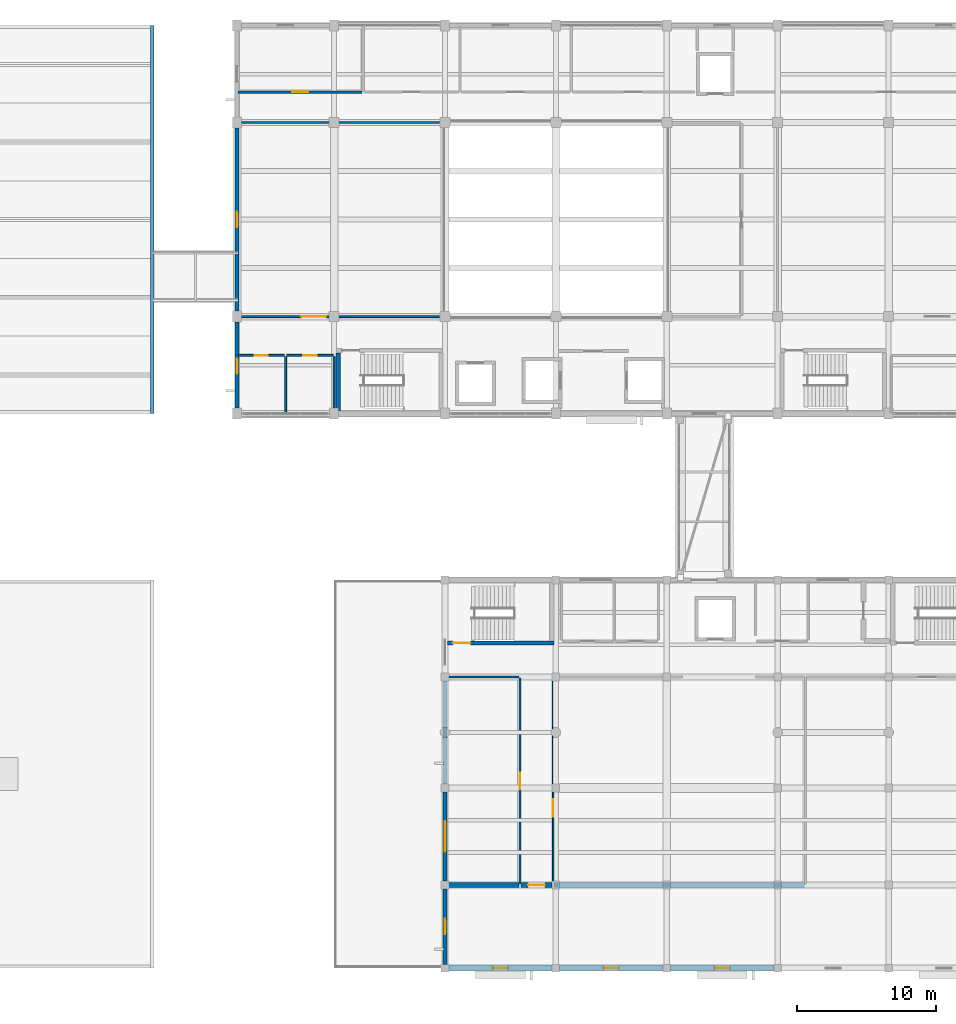
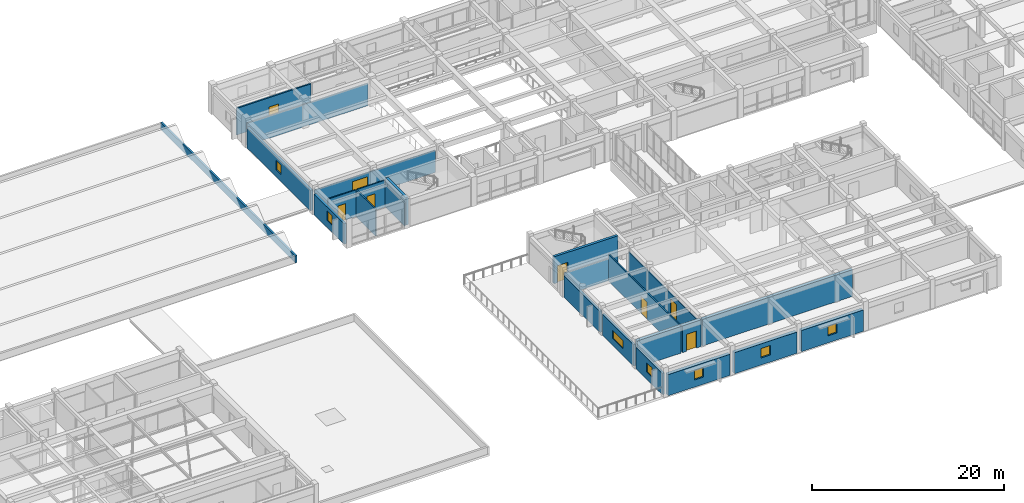
# One storey, part 27 of 42: 24 walls, 8 doors, 7 windows, 15 openings.
"""IFC4 building model written with IfcOpenShell, lengths in metres."""

from ifc_helpers import new_model, si_unit, direction, frame, frame_2d, origin, place, context, subcontext, project, spatial, rectangle, extrude, material, layer, layer_set, type_object, element, fill, save


model = new_model("IFC4")

# Units and contexts
model_context = context("Model", 3, precision=1e-05, world=origin(), true_north=direction((0.0, 1.0)))
body_context = subcontext(model_context, "Body", "Model", "MODEL_VIEW")
ifc_project = project(units=[si_unit("LENGTHUNIT", "METRE"), si_unit("AREAUNIT", "SQUARE_METRE"), si_unit("VOLUMEUNIT", "CUBIC_METRE"), si_unit("PLANEANGLEUNIT", "RADIAN"), si_unit("MASSUNIT", "GRAM", prefix="KILO")], contexts=[model_context])

# Site, building, storey
site_placement = place(None, origin())
site = spatial("IfcSite", under=ifc_project, at=site_placement, CompositionType="ELEMENT")
building_placement = place(site_placement, origin())
building = spatial("IfcBuilding", under=site, at=building_placement, Name="Naurynzar Civic Courthouse", CompositionType="ELEMENT")
storey_placement = place(building_placement, frame((0.0, 0.0, 18.300048828125)))
storey = spatial("IfcBuildingStorey", under=building, at=storey_placement, Name="L05", CompositionType="ELEMENT", Elevation=18.300048828125)

# Wall, opening, door
ifc_material_1 = material(Name="Acoustic Double-Stud Gypsum Partition")
ifc_layer_1 = layer(ifc_material_1, 0.1298828125)
ifc_layer_set_1 = layer_set([ifc_layer_1], Name="WL-ACOUSTIC-130")
wall_type_1 = type_object("IfcWallType", Name="WL-ACOUSTIC-130", PredefinedType="PARTITIONING", material=ifc_layer_set_1)
wall_1_placement = place(storey_placement, frame((62.080078125, 51.0, 0.0), z_axis=(0.0, 0.0, 1.0), x_axis=(1.0, 0.0, 0.0)))
wall_1 = element("IfcWall", 1, at=wall_1_placement, inside=storey, type_object=wall_type_1, Name="V2 interior partition L05.598", PredefinedType="PARTITIONING", context=body_context, shape_type="SweptSolid", body=[
    extrude(rectangle(XDim=14.52001953125, YDim=0.1298828125, at=frame_2d((7.260009765625, 0.0))), origin(), (0.0, 0.0, 1.0), 2.820068359375),
])
opening_1_placement = place(wall_1_placement, frame((4.556884765625, 0.0, 0.0)))
opening_1 = element("IfcOpeningElement", 2, at=opening_1_placement, cuts=wall_1, Name="Opening D-154", PredefinedType="OPENING", context=body_context, shape_type="SweptSolid", body=[
    extrude(rectangle(XDim=1.800048828125, YDim=2.300048828125, at=frame_2d((0.89990234375, 1.14990234375))), frame((0.0, 0.074951171875, 0.0), z_axis=(0.0, -1.0, 0.0), x_axis=(1.0, 0.0, 0.0)), (0.0, 0.0, 1.0), 0.14990234375),
])
ifc_material_2 = material(Name="Acoustic Oak Timber Grade A", Category="wood")
door_type_1 = type_object("IfcDoorType", Name="DR-COURT-DBL-1800x2300", OperationType="DOUBLE_DOOR_SINGLE_SWING", PredefinedType="DOOR", material=ifc_material_2)
door_1_placement = place(opening_1_placement, origin())
door_1 = element("IfcDoor", 3, at=door_1_placement, inside=storey, type_object=door_type_1, Name="Interior door D-154 (Principal Civil Courtroom 5A)", OperationType="DOUBLE_DOOR_SINGLE_SWING", OverallHeight=2.300048828125, OverallWidth=1.800048828125, PredefinedType="DOOR", context=body_context, shape_type="SweptSolid", body=[
    extrude(rectangle(XDim=1.800048828125, YDim=2.300048828125, at=frame_2d((0.89990234375, 1.14990234375))), frame((0.0, 0.02490234375, 0.0), z_axis=(0.0, -1.0, 0.0), x_axis=(1.0, 0.0, 0.0)), (0.0, 0.0, 1.0), 0.050048828125),
])
fill(opening_1, door_1)

# Walls
wall_2_placement = place(storey_placement, frame((62.080078125, 65.0, 0.0), z_axis=(0.0, 0.0, 1.0), x_axis=(1.0, 0.0, 0.0)))
element("IfcWall", 4, at=wall_2_placement, inside=storey, type_object=wall_type_1, Name="V2 interior partition L05.603", PredefinedType="PARTITIONING", context=body_context, shape_type="SweptSolid", body=[
    extrude(rectangle(XDim=14.52001953125, YDim=0.1298828125, at=frame_2d((7.260009765625, 0.0))), origin(), (0.0, 0.0, 1.0), 2.820068359375),
])
ifc_material_3 = material(Name="Concrete C40/50", Category="concrete")
ifc_layer_2 = layer(ifc_material_3, 0.300048828125)
ifc_layer_set_2 = layer_set([ifc_layer_2], Name="WL-CORE-300")
wall_type_2 = type_object("IfcWallType", Name="WL-CORE-300", PredefinedType="SHEAR", material=ifc_layer_set_2)
wall_3_placement = place(storey_placement, frame((69.300048828125, 48.39501953125, 0.0), z_axis=(0.0, 0.0, 1.0), x_axis=(0.0, -1.0, 0.0)))
element("IfcWall", 5, at=wall_3_placement, inside=storey, type_object=wall_type_2, Name="Stair ST-V2A enclosure wall west L05", PredefinedType="SHEAR", context=body_context, shape_type="SweptSolid", body=[
    extrude(rectangle(XDim=4.199951171875, YDim=0.300048828125, at=frame_2d((2.10009765625, 0.0))), origin(), (0.0, 0.0, 1.0), 3.469970703125),
])

# Wall, opening, door
wall_4_placement = place(storey_placement, frame((77.195068359375, 27.449951171875, 0.0), z_axis=(0.0, 0.0, 1.0), x_axis=(1.0, 0.0, 0.0)))
wall_4 = element("IfcWall", 6, at=wall_4_placement, inside=storey, type_object=wall_type_2, Name="Stair ST-V3A enclosure wall south L05", PredefinedType="SHEAR", context=body_context, shape_type="SweptSolid", body=[
    extrude(rectangle(XDim=7.655029296875, YDim=0.300048828125, at=frame_2d((3.82763671875, 0.0))), origin(), (0.0, 0.0, 1.0), 3.409912109375),
])
opening_2_placement = place(wall_4_placement, frame((0.3798828125, 0.0, 0.0)))
opening_2 = element("IfcOpeningElement", 7, at=opening_2_placement, cuts=wall_4, Name="Opening SD-050", PredefinedType="OPENING", context=body_context, shape_type="SweptSolid", body=[
    extrude(rectangle(XDim=1.25, YDim=2.14990234375, at=frame_2d((0.625, 1.074951171875))), frame((0.0, 0.159912109375, 0.0), z_axis=(0.0, -1.0, 0.0), x_axis=(1.0, 0.0, 0.0)), (0.0, 0.0, 1.0), 0.320068359375),
])
ifc_material_4 = material(Name="Powder-Coated Galvanised Steel", Category="steel")
door_type_2 = type_object("IfcDoorType", Name="DR-STAIR-1250x2150", OperationType="NOTDEFINED", PredefinedType="DOOR", material=ifc_material_4)
door_2_placement = place(opening_2_placement, origin())
door_2 = element("IfcDoor", 8, at=door_2_placement, inside=storey, type_object=door_type_2, Name="Stair ST-V3A fire door L05", OperationType="SINGLE_SWING_RIGHT", OverallHeight=2.14990234375, OverallWidth=1.25, PredefinedType="DOOR", context=body_context, shape_type="SweptSolid", body=[
    extrude(rectangle(XDim=1.25, YDim=2.14990234375, at=frame_2d((0.625, 1.074951171875))), frame((0.0, 0.02490234375, 0.0), z_axis=(0.0, -1.0, 0.0), x_axis=(1.0, 0.0, 0.0)), (0.0, 0.0, 1.0), 0.050048828125),
])
fill(opening_2, door_2)

# Wall
ifc_material_5 = material(Name="Concrete C40/50", Category="concrete")
ifc_layer_3 = layer(ifc_material_5, 0.35009765625)
ifc_layer_set_3 = layer_set([ifc_layer_3], Name="WL-CORE-350")
wall_type_3 = type_object("IfcWallType", Name="WL-CORE-350", PredefinedType="SHEAR", material=ifc_layer_set_3)
wall_5_placement = place(storey_placement, frame((77.080078125, 10.0, 0.0), z_axis=(0.0, 0.0, 1.0), x_axis=(1.0, 0.0, 0.0)))
element("IfcWall", 9, at=wall_5_placement, inside=storey, type_object=wall_type_3, Name="V3 interior partition L05.572", PredefinedType="SHEAR", context=body_context, shape_type="SweptSolid", body=[
    extrude(rectangle(XDim=5.239990234375, YDim=0.35009765625, at=frame_2d((2.6201171875, 0.0))), origin(), (0.0, 0.0, 1.0), 3.389892578125),
])

# Wall, opening, door
wall_6_placement = place(storey_placement, frame((82.47998046875, 10.0, 0.0), z_axis=(0.0, 0.0, 1.0), x_axis=(1.0, 0.0, 0.0)))
wall_6 = element("IfcWall", 10, at=wall_6_placement, inside=storey, type_object=wall_type_3, Name="V3 interior partition L05.573", PredefinedType="SHEAR", context=body_context, shape_type="SweptSolid", body=[
    extrude(rectangle(XDim=2.239990234375, YDim=0.35009765625, at=frame_2d((1.1201171875, 0.0))), origin(), (0.0, 0.0, 1.0), 3.389892578125),
])
opening_3_placement = place(wall_6_placement, frame((0.52001953125, 0.0, 0.0)))
opening_3 = element("IfcOpeningElement", 11, at=opening_3_placement, cuts=wall_6, Name="Opening D-255", PredefinedType="OPENING", context=body_context, shape_type="SweptSolid", body=[
    extrude(rectangle(XDim=1.199951171875, YDim=2.14990234375, at=frame_2d((0.60009765625, 1.074951171875))), frame((0.0, 0.18505859375, 0.0), z_axis=(0.0, -1.0, 0.0), x_axis=(1.0, 0.0, 0.0)), (0.0, 0.0, 1.0), 0.3701171875),
])
ifc_material_6 = material(Name="Powder-Coated Galvanised Steel", Category="steel")
door_type_3 = type_object("IfcDoorType", Name="DR-ARCH-1200x2150", OperationType="NOTDEFINED", PredefinedType="DOOR", material=ifc_material_6)
door_3_placement = place(opening_3_placement, origin())
door_3 = element("IfcDoor", 12, at=door_3_placement, inside=storey, type_object=door_type_3, Name="Interior door D-255 (Law Library Book Stacks South L05)", OperationType="SINGLE_SWING_LEFT", OverallHeight=2.14990234375, OverallWidth=1.199951171875, PredefinedType="DOOR", context=body_context, shape_type="SweptSolid", body=[
    extrude(rectangle(XDim=1.199951171875, YDim=2.14990234375, at=frame_2d((0.60009765625, 1.074951171875))), frame((0.0, 0.02490234375, 0.0), z_axis=(0.0, -1.0, 0.0), x_axis=(1.0, 0.0, 0.0)), (0.0, 0.0, 1.0), 0.050048828125),
])
fill(opening_3, door_3)

# Wall
wall_7_placement = place(storey_placement, frame((84.8798828125, 10.0, 0.0), z_axis=(0.0, 0.0, 1.0), x_axis=(1.0, 0.0, 0.0)))
element("IfcWall", 13, at=wall_7_placement, inside=storey, type_object=wall_type_3, Name="V3 interior partition L05.574", PredefinedType="SHEAR", context=body_context, shape_type="SweptSolid", body=[
    extrude(rectangle(XDim=18.0400390625, YDim=0.35009765625, at=frame_2d((9.02001953125, 0.0))), origin(), (0.0, 0.0, 1.0), 3.389892578125),
])

# Wall, opening, window
ifc_material_7 = material(Name="Precast concrete C40/50", Category="concrete")
ifc_layer_4 = layer(ifc_material_7, 0.260009765625)
ifc_layer_set_4 = layer_set([ifc_layer_4], Name="WL-EXT-260")
wall_type_4 = type_object("IfcWallType", Name="WL-EXT-260", PredefinedType="SOLIDWALL", material=ifc_layer_set_4)
wall_8_placement = place(storey_placement, frame((77.0, 4.27490234375, 0.0), z_axis=(0.0, 0.0, 1.0), x_axis=(0.0, 1.0, 0.0)))
wall_8 = element("IfcWall", 14, at=wall_8_placement, inside=storey, type_object=wall_type_4, Name="V3 exterior wall west L05.1.1", PredefinedType="SOLIDWALL", context=body_context, shape_type="SweptSolid", body=[
    extrude(rectangle(XDim=5.4501953125, YDim=0.260009765625, at=frame_2d((2.72509765625, 0.0))), origin(), (0.0, 0.0, 1.0), 2.68994140625),
])
opening_4_placement = place(wall_8_placement, frame((2.175048828125, 0.0, 0.89990234375)))
opening_4 = element("IfcOpeningElement", 15, at=opening_4_placement, cuts=wall_8, Name="Opening WN-15", PredefinedType="OPENING", context=body_context, shape_type="SweptSolid", body=[
    extrude(rectangle(XDim=1.10009765625, YDim=1.199951171875, at=frame_2d((0.550048828125, 0.60009765625))), frame((0.0, 0.139892578125, 0.0), z_axis=(0.0, -1.0, 0.0), x_axis=(1.0, 0.0, 0.0)), (0.0, 0.0, 1.0), 0.280029296875),
])
ifc_material_8 = material(Name="Tempered Laminated Low-E Glass", Category="glass")
window_type_1 = type_object("IfcWindowType", Name="WIN-SEC-1100x1200", PartitioningType="SINGLE_PANEL", PredefinedType="WINDOW", material=ifc_material_8)
window_1_placement = place(opening_4_placement, origin())
window_1 = element("IfcWindow", 16, at=window_1_placement, inside=storey, type_object=window_type_1, Name="V3 window 190 L05", OverallHeight=1.199951171875, OverallWidth=1.10009765625, PartitioningType="SINGLE_PANEL", PredefinedType="WINDOW", context=body_context, shape_type="SweptSolid", body=[
    extrude(rectangle(XDim=1.10009765625, YDim=1.199951171875, at=frame_2d((0.550048828125, 0.60009765625))), frame((0.0, 0.030029296875, 0.0), z_axis=(0.0, -1.0, 0.0), x_axis=(1.0, 0.0, 0.0)), (0.0, 0.0, 1.0), 0.06005859375),
])
fill(opening_4, window_1)

wall_9_placement = place(storey_placement, frame((77.0, 10.27490234375, 0.0), z_axis=(0.0, 0.0, 1.0), x_axis=(0.0, 1.0, 0.0)))
wall_9 = element("IfcWall", 17, at=wall_9_placement, inside=storey, type_object=wall_type_4, Name="V3 exterior wall west L05.2.1", PredefinedType="SOLIDWALL", context=body_context, shape_type="SweptSolid", body=[
    extrude(rectangle(XDim=6.4501953125, YDim=0.260009765625, at=frame_2d((3.22509765625, 0.0))), origin(), (0.0, 0.0, 1.0), 2.68994140625),
])
opening_5_placement = place(wall_9_placement, frame((2.125, 0.0, 0.89990234375)))
opening_5 = element("IfcOpeningElement", 18, at=opening_5_placement, cuts=wall_9, Name="Opening WN-18", PredefinedType="OPENING", context=body_context, shape_type="SweptSolid", body=[
    extrude(rectangle(XDim=2.199951171875, YDim=1.0, at=frame_2d((1.10009765625, 0.5))), frame((0.0, 0.139892578125, 0.0), z_axis=(0.0, -1.0, 0.0), x_axis=(1.0, 0.0, 0.0)), (0.0, 0.0, 1.0), 0.280029296875),
])
ifc_material_9 = material(Name="Tempered Laminated Low-E Glass", Category="glass")
window_type_2 = type_object("IfcWindowType", Name="WIN-CLER-2200x1000", PartitioningType="DOUBLE_PANEL_VERTICAL", PredefinedType="WINDOW", material=ifc_material_9)
window_2_placement = place(opening_5_placement, origin())
window_2 = element("IfcWindow", 19, at=window_2_placement, inside=storey, type_object=window_type_2, Name="V3 window 191 L05", OverallHeight=1.0, OverallWidth=2.199951171875, PartitioningType="SINGLE_PANEL", PredefinedType="WINDOW", context=body_context, shape_type="SweptSolid", body=[
    extrude(rectangle(XDim=2.199951171875, YDim=1.0, at=frame_2d((1.10009765625, 0.5))), frame((0.0, 0.030029296875, 0.0), z_axis=(0.0, -1.0, 0.0), x_axis=(1.0, 0.0, 0.0)), (0.0, 0.0, 1.0), 0.06005859375),
])
fill(opening_5, window_2)

# Wall
wall_10_placement = place(storey_placement, frame((77.0, 17.27490234375, 0.0), z_axis=(0.0, 0.0, 1.0), x_axis=(0.0, 1.0, 0.0)))
element("IfcWall", 20, at=wall_10_placement, inside=storey, type_object=wall_type_4, Name="V3 exterior wall west L05.3.1", PredefinedType="SOLIDWALL", context=body_context, shape_type="SweptSolid", body=[
    extrude(rectangle(XDim=7.4501953125, YDim=0.260009765625, at=frame_2d((3.72509765625, 0.0))), origin(), (0.0, 0.0, 1.0), 2.68994140625),
])

# Wall, opening, window
ifc_material_10 = material(Name="Precast concrete C40/50", Category="concrete")
ifc_layer_5 = layer(ifc_material_10, 0.300048828125)
ifc_layer_set_5 = layer_set([ifc_layer_5], Name="WL-EXT-300")
wall_type_5 = type_object("IfcWallType", Name="WL-EXT-300", PredefinedType="SOLIDWALL", material=ifc_layer_set_5)
wall_11_placement = place(storey_placement, frame((62.0, 44.39990234375, 0.0), z_axis=(0.0, 0.0, 1.0), x_axis=(0.0, 1.0, 0.0)))
wall_11 = element("IfcWall", 21, at=wall_11_placement, inside=storey, type_object=wall_type_5, Name="V2 exterior wall west L05.1.1", PredefinedType="SOLIDWALL", context=body_context, shape_type="SweptSolid", body=[
    extrude(rectangle(XDim=6.2001953125, YDim=0.300048828125, at=frame_2d((3.10009765625, 0.0))), origin(), (0.0, 0.0, 1.0), 2.599853515625),
])
opening_6_placement = place(wall_11_placement, frame((2.47998046875, 0.0, 0.89990234375)))
opening_6 = element("IfcOpeningElement", 22, at=opening_6_placement, cuts=wall_11, Name="Opening WN-15", PredefinedType="OPENING", context=body_context, shape_type="SweptSolid", body=[
    extrude(rectangle(XDim=1.10009765625, YDim=1.199951171875, at=frame_2d((0.550048828125, 0.60009765625))), frame((0.0, 0.159912109375, 0.0), z_axis=(0.0, -1.0, 0.0), x_axis=(1.0, 0.0, 0.0)), (0.0, 0.0, 1.0), 0.320068359375),
])
window_3_placement = place(opening_6_placement, origin())
window_3 = element("IfcWindow", 23, at=window_3_placement, inside=storey, type_object=window_type_1, Name="V2 window 82 L05", OverallHeight=1.199951171875, OverallWidth=1.10009765625, PartitioningType="SINGLE_PANEL", PredefinedType="WINDOW", context=body_context, shape_type="SweptSolid", body=[
    extrude(rectangle(XDim=1.10009765625, YDim=1.199951171875, at=frame_2d((0.550048828125, 0.60009765625))), frame((0.0, 0.030029296875, 0.0), z_axis=(0.0, -1.0, 0.0), x_axis=(1.0, 0.0, 0.0)), (0.0, 0.0, 1.0), 0.06005859375),
])
fill(opening_6, window_3)

wall_12_placement = place(storey_placement, frame((62.0, 51.39990234375, 0.0), z_axis=(0.0, 0.0, 1.0), x_axis=(0.0, 1.0, 0.0)))
wall_12 = element("IfcWall", 24, at=wall_12_placement, inside=storey, type_object=wall_type_5, Name="V2 exterior wall west L05.2.1", PredefinedType="SOLIDWALL", context=body_context, shape_type="SweptSolid", body=[
    extrude(rectangle(XDim=13.2001953125, YDim=0.300048828125, at=frame_2d((6.60009765625, 0.0))), origin(), (0.0, 0.0, 1.0), 2.599853515625),
])
opening_7_placement = place(wall_12_placement, frame((6.050048828125, 0.0, 0.89990234375)))
opening_7 = element("IfcOpeningElement", 25, at=opening_7_placement, cuts=wall_12, Name="Opening WN-15", PredefinedType="OPENING", context=body_context, shape_type="SweptSolid", body=[
    extrude(rectangle(XDim=1.10009765625, YDim=1.199951171875, at=frame_2d((0.550048828125, 0.60009765625))), frame((0.0, 0.159912109375, 0.0), z_axis=(0.0, -1.0, 0.0), x_axis=(1.0, 0.0, 0.0)), (0.0, 0.0, 1.0), 0.320068359375),
])
window_4_placement = place(opening_7_placement, origin())
window_4 = element("IfcWindow", 26, at=window_4_placement, inside=storey, type_object=window_type_1, Name="V2 window 83 L05", OverallHeight=1.199951171875, OverallWidth=1.10009765625, PartitioningType="SINGLE_PANEL", PredefinedType="WINDOW", context=body_context, shape_type="SweptSolid", body=[
    extrude(rectangle(XDim=1.10009765625, YDim=1.199951171875, at=frame_2d((0.550048828125, 0.60009765625))), frame((0.0, 0.030029296875, 0.0), z_axis=(0.0, -1.0, 0.0), x_axis=(1.0, 0.0, 0.0)), (0.0, 0.0, 1.0), 0.06005859375),
])
fill(opening_7, window_4)

# Walls
ifc_material_11 = material(Name="Precast concrete C40/50", Category="concrete")
ifc_layer_6 = layer(ifc_material_11, 0.219970703125)
ifc_layer_set_6 = layer_set([ifc_layer_6], Name="WL-PARA-220")
wall_type_6 = type_object("IfcWallType", Name="WL-PARA-220", PredefinedType="PARAPET", material=ifc_layer_set_6)
wall_13_placement = place(storey_placement, frame((55.8798828125, 71.989990234375, 0.0), z_axis=(0.0, 0.0, 1.0), x_axis=(0.0, -1.0, 0.0)))
element("IfcWall", 27, at=wall_13_placement, inside=storey, type_object=wall_type_6, Name="Roof perimeter parapet V1-RF.31", PredefinedType="PARAPET", context=body_context, shape_type="SweptSolid", body=[
    extrude(rectangle(XDim=27.97998046875, YDim=0.219970703125, at=frame_2d((13.989990234375, 0.0))), origin(), (0.0, 0.0, 1.0), 0.89990234375),
])
ifc_material_12 = material(Name="Fire-Rated Corridor Gypsum Partition")
ifc_layer_7 = layer(ifc_material_12, 0.14990234375)
ifc_layer_set_7 = layer_set([ifc_layer_7], Name="WL-PART-CORR-150")
wall_type_7 = type_object("IfcWallType", Name="WL-PART-CORR-150", PredefinedType="PARTITIONING", material=ifc_layer_set_7)
wall_14_placement = place(storey_placement, frame((77.080078125, 25.0, 0.0), z_axis=(0.0, 0.0, 1.0), x_axis=(1.0, 0.0, 0.0)))
element("IfcWall", 28, at=wall_14_placement, inside=storey, type_object=wall_type_7, Name="V3 interior partition L05.580", PredefinedType="PARTITIONING", context=body_context, shape_type="SweptSolid", body=[
    extrude(rectangle(XDim=5.239990234375, YDim=0.14990234375, at=frame_2d((2.6201171875, 0.0))), origin(), (0.0, 0.0, 1.0), 2.81005859375),
])

# Wall, opening, door
wall_15_placement = place(storey_placement, frame((82.39990234375, 10.080078125, 0.0), z_axis=(0.0, 0.0, 1.0), x_axis=(0.0, 1.0, 0.0)))
wall_15 = element("IfcWall", 29, at=wall_15_placement, inside=storey, type_object=wall_type_7, Name="V3 interior partition L05.625", PredefinedType="PARTITIONING", context=body_context, shape_type="SweptSolid", body=[
    extrude(rectangle(XDim=14.83984375, YDim=0.14990234375, at=frame_2d((7.419921875, 0.0))), origin(), (0.0, 0.0, 1.0), 3.389892578125),
])
opening_8_placement = place(wall_15_placement, frame((6.81005859375, 0.0, 0.0)))
opening_8 = element("IfcOpeningElement", 30, at=opening_8_placement, cuts=wall_15, Name="Opening D-257", PredefinedType="OPENING", context=body_context, shape_type="SweptSolid", body=[
    extrude(rectangle(XDim=1.219970703125, YDim=2.199951171875, at=frame_2d((0.60986328125, 1.10009765625))), frame((0.0, 0.0849609375, 0.0), z_axis=(0.0, -1.0, 0.0), x_axis=(1.0, 0.0, 0.0)), (0.0, 0.0, 1.0), 0.169921875),
])
ifc_material_13 = material(Name="Acoustic Oak Timber Grade A", Category="wood")
door_type_4 = type_object("IfcDoorType", Name="DR-SUITE-1220x2200", OperationType="NOTDEFINED", PredefinedType="DOOR", material=ifc_material_13)
door_4_placement = place(opening_8_placement, origin())
door_4 = element("IfcDoor", 31, at=door_4_placement, inside=storey, type_object=door_type_4, Name="Interior door D-257 (Law Library Reading Room West L05)", OperationType="SINGLE_SWING_LEFT", OverallHeight=2.199951171875, OverallWidth=1.219970703125, PredefinedType="DOOR", context=body_context, shape_type="SweptSolid", body=[
    extrude(rectangle(XDim=1.219970703125, YDim=2.199951171875, at=frame_2d((0.60986328125, 1.10009765625))), frame((0.0, 0.02490234375, 0.0), z_axis=(0.0, -1.0, 0.0), x_axis=(1.0, 0.0, 0.0)), (0.0, 0.0, 1.0), 0.050048828125),
])
fill(opening_8, door_4)

ifc_material_14 = material(Name="Acoustic Double-Stud Gypsum Partition")
ifc_layer_8 = layer(ifc_material_14, 0.179931640625)
ifc_layer_set_8 = layer_set([ifc_layer_8], Name="WL-PART-JURY-180")
wall_type_8 = type_object("IfcWallType", Name="WL-PART-JURY-180", PredefinedType="PARTITIONING", material=ifc_layer_set_8)
wall_16_placement = place(storey_placement, frame((62.080078125, 67.199951171875, 0.0), z_axis=(0.0, 0.0, 1.0), x_axis=(1.0, 0.0, 0.0)))
wall_16 = element("IfcWall", 32, at=wall_16_placement, inside=storey, type_object=wall_type_8, Name="V2 interior partition L05.608", PredefinedType="PARTITIONING", context=body_context, shape_type="SweptSolid", body=[
    extrude(rectangle(XDim=8.929931640625, YDim=0.179931640625, at=frame_2d((4.46484375, 0.0))), origin(), (0.0, 0.0, 1.0), 3.389892578125),
])
opening_9_placement = place(wall_16_placement, frame((3.889892578125, 0.0, 0.0)))
opening_9 = element("IfcOpeningElement", 33, at=opening_9_placement, cuts=wall_16, Name="Opening D-157", PredefinedType="OPENING", context=body_context, shape_type="SweptSolid", body=[
    extrude(rectangle(XDim=1.14990234375, YDim=2.199951171875, at=frame_2d((0.574951171875, 1.10009765625))), frame((0.0, 0.099853515625, 0.0), z_axis=(0.0, -1.0, 0.0), x_axis=(1.0, 0.0, 0.0)), (0.0, 0.0, 1.0), 0.199951171875),
])
ifc_material_15 = material(Name="Acoustic Oak Timber Grade A", Category="wood")
door_type_5 = type_object("IfcDoorType", Name="DR-JURY-1150x2200", OperationType="NOTDEFINED", PredefinedType="DOOR", material=ifc_material_15)
door_5_placement = place(opening_9_placement, origin())
door_5 = element("IfcDoor", 34, at=door_5_placement, inside=storey, type_object=door_type_5, Name="Interior door D-157 (Jury Room L05-N)", OperationType="SINGLE_SWING_LEFT", OverallHeight=2.199951171875, OverallWidth=1.14990234375, PredefinedType="DOOR", context=body_context, shape_type="SweptSolid", body=[
    extrude(rectangle(XDim=1.14990234375, YDim=2.199951171875, at=frame_2d((0.574951171875, 1.10009765625))), frame((0.0, 0.02490234375, 0.0), z_axis=(0.0, -1.0, 0.0), x_axis=(1.0, 0.0, 0.0)), (0.0, 0.0, 1.0), 0.050048828125),
])
fill(opening_9, door_5)

ifc_material_16 = material(Name="Metal-Stud Gypsum Partition")
ifc_layer_9 = layer(ifc_material_16, 0.125)
ifc_layer_set_9 = layer_set([ifc_layer_9], Name="WL-PART-STD-125")
wall_type_9 = type_object("IfcWallType", Name="WL-PART-STD-125", PredefinedType="PARTITIONING", material=ifc_layer_set_9)
wall_17_placement = place(storey_placement, frame((84.800048828125, 10.080078125, 0.0), z_axis=(0.0, 0.0, 1.0), x_axis=(0.0, 1.0, 0.0)))
wall_17 = element("IfcWall", 35, at=wall_17_placement, inside=storey, type_object=wall_type_9, Name="V3 interior partition L05.626", PredefinedType="PARTITIONING", context=body_context, shape_type="SweptSolid", body=[
    extrude(rectangle(XDim=14.83984375, YDim=0.125, at=frame_2d((7.419921875, 0.0))), origin(), (0.0, 0.0, 1.0), 2.85986328125),
])
opening_10_placement = place(wall_17_placement, frame((4.85791015625, 0.0, 0.0)))
opening_10 = element("IfcOpeningElement", 36, at=opening_10_placement, cuts=wall_17, Name="Opening D-258", PredefinedType="OPENING", context=body_context, shape_type="SweptSolid", body=[
    extrude(rectangle(XDim=1.260009765625, YDim=2.199951171875, at=frame_2d((0.6298828125, 1.10009765625))), frame((0.0, 0.072509765625, 0.0), z_axis=(0.0, -1.0, 0.0), x_axis=(1.0, 0.0, 0.0)), (0.0, 0.0, 1.0), 0.14501953125),
])
ifc_material_17 = material(Name="Acoustic Oak Timber Grade A", Category="wood")
door_type_6 = type_object("IfcDoorType", Name="DR-SUITE-1260x2200", OperationType="NOTDEFINED", PredefinedType="DOOR", material=ifc_material_17)
door_6_placement = place(opening_10_placement, origin())
door_6 = element("IfcDoor", 37, at=door_6_placement, inside=storey, type_object=door_type_6, Name="Interior door D-258 (Law Library Reading Room Main Hall)", OperationType="SINGLE_SWING_RIGHT", OverallHeight=2.199951171875, OverallWidth=1.260009765625, PredefinedType="DOOR", context=body_context, shape_type="SweptSolid", body=[
    extrude(rectangle(XDim=1.260009765625, YDim=2.199951171875, at=frame_2d((0.6298828125, 1.10009765625))), frame((0.0, 0.02490234375, 0.0), z_axis=(0.0, -1.0, 0.0), x_axis=(1.0, 0.0, 0.0)), (0.0, 0.0, 1.0), 0.050048828125),
])
fill(opening_10, door_6)

ifc_material_18 = material(Name="Moisture-Resistant Plumbing Partition")
ifc_layer_10 = layer(ifc_material_18, 0.139892578125)
ifc_layer_set_10 = layer_set([ifc_layer_10], Name="WL-PART-WC-140")
wall_type_10 = type_object("IfcWallType", Name="WL-PART-WC-140", PredefinedType="PLUMBINGWALL", material=ifc_layer_set_10)
wall_18_placement = place(storey_placement, frame((62.080078125, 48.199951171875, 0.0), z_axis=(0.0, 0.0, 1.0), x_axis=(1.0, 0.0, 0.0)))
wall_18 = element("IfcWall", 38, at=wall_18_placement, inside=storey, type_object=wall_type_10, Name="V2 interior partition L05.594", PredefinedType="PLUMBINGWALL", context=body_context, shape_type="SweptSolid", body=[
    extrude(rectangle(XDim=3.33984375, YDim=0.139892578125, at=frame_2d((1.669921875, 0.0))), origin(), (0.0, 0.0, 1.0), 3.389892578125),
])
opening_11_placement = place(wall_18_placement, frame((1.2099609375, 0.0, 0.0)))
opening_11 = element("IfcOpeningElement", 39, at=opening_11_placement, cuts=wall_18, Name="Opening D-151", PredefinedType="OPENING", context=body_context, shape_type="SweptSolid", body=[
    extrude(rectangle(XDim=0.919921875, YDim=2.10009765625, at=frame_2d((0.4599609375, 1.050048828125))), frame((0.0, 0.079833984375, 0.0), z_axis=(0.0, -1.0, 0.0), x_axis=(1.0, 0.0, 0.0)), (0.0, 0.0, 1.0), 0.159912109375),
])
ifc_material_19 = material(Name="Acoustic Oak Timber Grade A", Category="wood")
door_type_7 = type_object("IfcDoorType", Name="DR-WC-STD-920x2100", OperationType="NOTDEFINED", PredefinedType="DOOR", material=ifc_material_19)
door_7_placement = place(opening_11_placement, origin())
door_7 = element("IfcDoor", 40, at=door_7_placement, inside=storey, type_object=door_type_7, Name="Interior door D-151 (Public WC V2)", OperationType="SINGLE_SWING_LEFT", OverallHeight=2.10009765625, OverallWidth=0.919921875, PredefinedType="DOOR", context=body_context, shape_type="SweptSolid", body=[
    extrude(rectangle(XDim=0.919921875, YDim=2.10009765625, at=frame_2d((0.4599609375, 1.050048828125))), frame((0.0, 0.02490234375, 0.0), z_axis=(0.0, -1.0, 0.0), x_axis=(1.0, 0.0, 0.0)), (0.0, 0.0, 1.0), 0.050048828125),
])
fill(opening_11, door_7)

wall_19_placement = place(storey_placement, frame((65.580078125, 48.199951171875, 0.0), z_axis=(0.0, 0.0, 1.0), x_axis=(1.0, 0.0, 0.0)))
wall_19 = element("IfcWall", 41, at=wall_19_placement, inside=storey, type_object=wall_type_10, Name="V2 interior partition L05.595", PredefinedType="PLUMBINGWALL", context=body_context, shape_type="SweptSolid", body=[
    extrude(rectangle(XDim=3.33984375, YDim=0.139892578125, at=frame_2d((1.669921875, 0.0))), origin(), (0.0, 0.0, 1.0), 3.389892578125),
])
opening_12_placement = place(wall_19_placement, frame((1.18994140625, 0.0, 0.0)))
opening_12 = element("IfcOpeningElement", 42, at=opening_12_placement, cuts=wall_19, Name="Opening D-152", PredefinedType="OPENING", context=body_context, shape_type="SweptSolid", body=[
    extrude(rectangle(XDim=0.9599609375, YDim=2.10009765625, at=frame_2d((0.47998046875, 1.050048828125))), frame((0.0, 0.079833984375, 0.0), z_axis=(0.0, -1.0, 0.0), x_axis=(1.0, 0.0, 0.0)), (0.0, 0.0, 1.0), 0.159912109375),
])
ifc_material_20 = material(Name="Acoustic Oak Timber Grade A", Category="wood")
door_type_8 = type_object("IfcDoorType", Name="DR-WC-ACC-960x2100", OperationType="NOTDEFINED", PredefinedType="DOOR", material=ifc_material_20)
door_8_placement = place(opening_12_placement, origin())
door_8 = element("IfcDoor", 43, at=door_8_placement, inside=storey, type_object=door_type_8, Name="Interior door D-152 (Accessible WC V2)", OperationType="SINGLE_SWING_RIGHT", OverallHeight=2.10009765625, OverallWidth=0.9599609375, PredefinedType="DOOR", context=body_context, shape_type="SweptSolid", body=[
    extrude(rectangle(XDim=0.9599609375, YDim=2.10009765625, at=frame_2d((0.47998046875, 1.050048828125))), frame((0.0, 0.02490234375, 0.0), z_axis=(0.0, -1.0, 0.0), x_axis=(1.0, 0.0, 0.0)), (0.0, 0.0, 1.0), 0.050048828125),
])
fill(opening_12, door_8)

# Walls
wall_20_placement = place(storey_placement, frame((65.5, 44.080078125, 0.0), z_axis=(0.0, 0.0, 1.0), x_axis=(0.0, 1.0, 0.0)))
element("IfcWall", 44, at=wall_20_placement, inside=storey, type_object=wall_type_10, Name="V2 interior partition L05.621", PredefinedType="PLUMBINGWALL", context=body_context, shape_type="SweptSolid", body=[
    extrude(rectangle(XDim=4.0400390625, YDim=0.139892578125, at=frame_2d((2.02001953125, 0.0))), origin(), (0.0, 0.0, 1.0), 3.389892578125),
])
wall_21_placement = place(storey_placement, frame((69.0, 44.080078125, 0.0), z_axis=(0.0, 0.0, 1.0), x_axis=(0.0, 1.0, 0.0)))
element("IfcWall", 45, at=wall_21_placement, inside=storey, type_object=wall_type_10, Name="V2 interior partition L05.622", PredefinedType="PLUMBINGWALL", context=body_context, shape_type="SweptSolid", body=[
    extrude(rectangle(XDim=4.0400390625, YDim=0.139892578125, at=frame_2d((2.02001953125, 0.0))), origin(), (0.0, 0.0, 1.0), 2.919921875),
])

# Wall, opening, window
ifc_material_21 = material(Name="Concrete C40/50", Category="concrete")
ifc_layer_11 = layer(ifc_material_21, 0.419921875)
ifc_layer_set_11 = layer_set([ifc_layer_11], Name="WL-STACK-420")
wall_type_11 = type_object("IfcWallType", Name="WL-STACK-420", PredefinedType="SOLIDWALL", material=ifc_layer_set_11)
wall_22_placement = place(storey_placement, frame((100.72509765625, 4.0, 0.0), z_axis=(0.0, 0.0, 1.0), x_axis=(-1.0, 0.0, 0.0)))
wall_22 = element("IfcWall", 46, at=wall_22_placement, inside=storey, type_object=wall_type_11, Name="V3 exterior wall south L05.3.1", PredefinedType="SOLIDWALL", context=body_context, shape_type="SweptSolid", body=[
    extrude(rectangle(XDim=7.4501953125, YDim=0.419921875, at=frame_2d((3.72509765625, 0.0))), origin(), (0.0, 0.0, 1.0), 2.68994140625),
])
opening_13_placement = place(wall_22_placement, frame((3.175048828125, 0.0, 0.89990234375)))
opening_13 = element("IfcOpeningElement", 47, at=opening_13_placement, cuts=wall_22, Name="Opening WN-15", PredefinedType="OPENING", context=body_context, shape_type="SweptSolid", body=[
    extrude(rectangle(XDim=1.10009765625, YDim=1.199951171875, at=frame_2d((0.550048828125, 0.60009765625))), frame((0.0, 0.219970703125, 0.0), z_axis=(0.0, -1.0, 0.0), x_axis=(1.0, 0.0, 0.0)), (0.0, 0.0, 1.0), 0.43994140625),
])
window_5_placement = place(opening_13_placement, origin())
window_5 = element("IfcWindow", 48, at=window_5_placement, inside=storey, type_object=window_type_1, Name="V3 window 199 L05", OverallHeight=1.199951171875, OverallWidth=1.10009765625, PartitioningType="SINGLE_PANEL", PredefinedType="WINDOW", context=body_context, shape_type="SweptSolid", body=[
    extrude(rectangle(XDim=1.10009765625, YDim=1.199951171875, at=frame_2d((0.550048828125, 0.60009765625))), frame((0.0, 0.030029296875, 0.0), z_axis=(0.0, -1.0, 0.0), x_axis=(1.0, 0.0, 0.0)), (0.0, 0.0, 1.0), 0.06005859375),
])
fill(opening_13, window_5)

wall_23_placement = place(storey_placement, frame((92.72509765625, 4.0, 0.0), z_axis=(0.0, 0.0, 1.0), x_axis=(-1.0, 0.0, 0.0)))
wall_23 = element("IfcWall", 49, at=wall_23_placement, inside=storey, type_object=wall_type_11, Name="V3 exterior wall south L05.4.1", PredefinedType="SOLIDWALL", context=body_context, shape_type="SweptSolid", body=[
    extrude(rectangle(XDim=7.4501953125, YDim=0.419921875, at=frame_2d((3.72509765625, 0.0))), origin(), (0.0, 0.0, 1.0), 2.68994140625),
])
opening_14_placement = place(wall_23_placement, frame((3.175048828125, 0.0, 0.89990234375)))
opening_14 = element("IfcOpeningElement", 50, at=opening_14_placement, cuts=wall_23, Name="Opening WN-15", PredefinedType="OPENING", context=body_context, shape_type="SweptSolid", body=[
    extrude(rectangle(XDim=1.10009765625, YDim=1.199951171875, at=frame_2d((0.550048828125, 0.60009765625))), frame((0.0, 0.219970703125, 0.0), z_axis=(0.0, -1.0, 0.0), x_axis=(1.0, 0.0, 0.0)), (0.0, 0.0, 1.0), 0.43994140625),
])
window_6_placement = place(opening_14_placement, origin())
window_6 = element("IfcWindow", 51, at=window_6_placement, inside=storey, type_object=window_type_1, Name="V3 window 200 L05", OverallHeight=1.199951171875, OverallWidth=1.10009765625, PartitioningType="SINGLE_PANEL", PredefinedType="WINDOW", context=body_context, shape_type="SweptSolid", body=[
    extrude(rectangle(XDim=1.10009765625, YDim=1.199951171875, at=frame_2d((0.550048828125, 0.60009765625))), frame((0.0, 0.030029296875, 0.0), z_axis=(0.0, -1.0, 0.0), x_axis=(1.0, 0.0, 0.0)), (0.0, 0.0, 1.0), 0.06005859375),
])
fill(opening_14, window_6)

wall_24_placement = place(storey_placement, frame((84.72509765625, 4.0, 0.0), z_axis=(0.0, 0.0, 1.0), x_axis=(-1.0, 0.0, 0.0)))
wall_24 = element("IfcWall", 52, at=wall_24_placement, inside=storey, type_object=wall_type_11, Name="V3 exterior wall south L05.5.1", PredefinedType="SOLIDWALL", context=body_context, shape_type="SweptSolid", body=[
    extrude(rectangle(XDim=7.4501953125, YDim=0.419921875, at=frame_2d((3.72509765625, 0.0))), origin(), (0.0, 0.0, 1.0), 2.68994140625),
])
opening_15_placement = place(wall_24_placement, frame((3.175048828125, 0.0, 0.89990234375)))
opening_15 = element("IfcOpeningElement", 53, at=opening_15_placement, cuts=wall_24, Name="Opening WN-15", PredefinedType="OPENING", context=body_context, shape_type="SweptSolid", body=[
    extrude(rectangle(XDim=1.10009765625, YDim=1.199951171875, at=frame_2d((0.550048828125, 0.60009765625))), frame((0.0, 0.219970703125, 0.0), z_axis=(0.0, -1.0, 0.0), x_axis=(1.0, 0.0, 0.0)), (0.0, 0.0, 1.0), 0.43994140625),
])
window_7_placement = place(opening_15_placement, origin())
window_7 = element("IfcWindow", 54, at=window_7_placement, inside=storey, type_object=window_type_1, Name="V3 window 201 L05", OverallHeight=1.199951171875, OverallWidth=1.10009765625, PartitioningType="SINGLE_PANEL", PredefinedType="WINDOW", context=body_context, shape_type="SweptSolid", body=[
    extrude(rectangle(XDim=1.10009765625, YDim=1.199951171875, at=frame_2d((0.550048828125, 0.60009765625))), frame((0.0, 0.030029296875, 0.0), z_axis=(0.0, -1.0, 0.0), x_axis=(1.0, 0.0, 0.0)), (0.0, 0.0, 1.0), 0.06005859375),
])
fill(opening_15, window_7)

save(model, "model.ifc")
